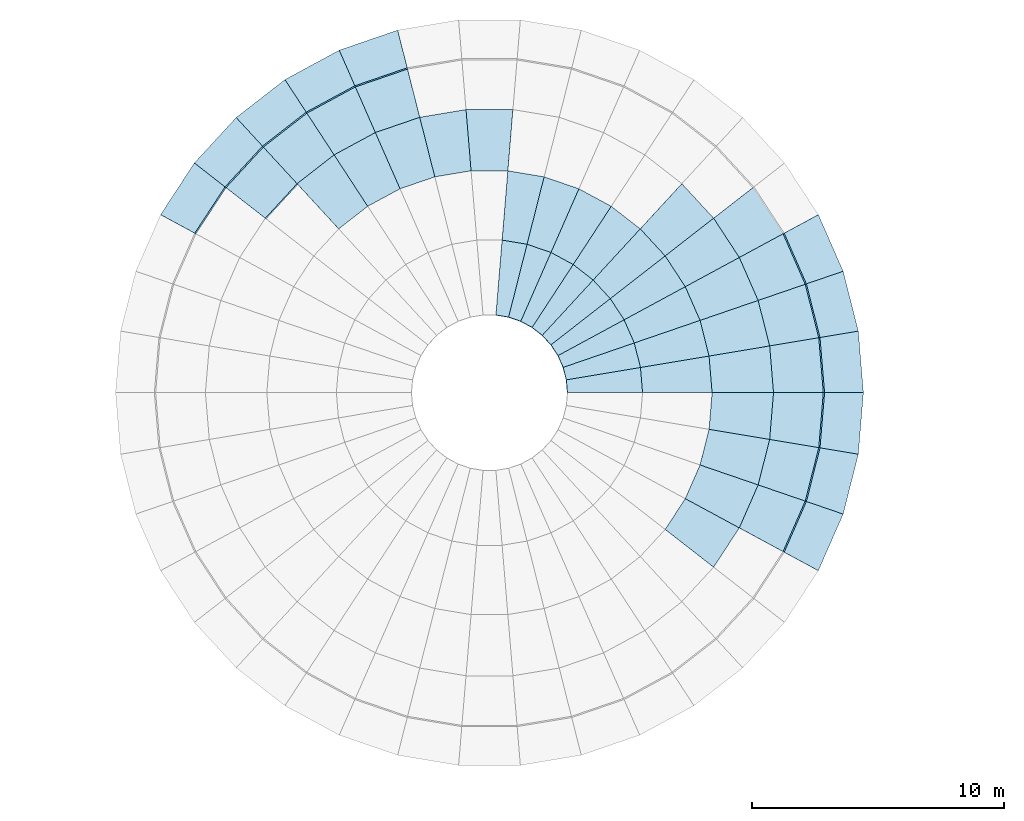
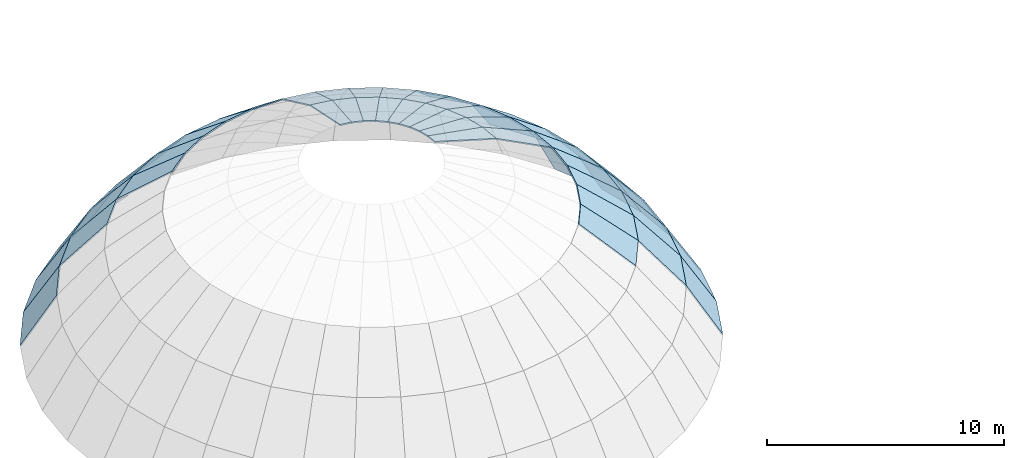
# One storey, part 24 of 36: 54 slabs, 1 element without a shape of its own.
"""IFC4 building model written with IfcOpenShell, lengths in metres."""

from ifc_helpers import new_model, si_unit, direction, frame, origin, place, context, subcontext, project, spatial, polyline, outline, extrude, material, layer, layer_set, type_object, element, aggregate, save


model = new_model("IFC4")

# Units and contexts
model_context = context("Model", 3, precision=1e-05, world=origin(), true_north=direction((0.0, 1.0)))
body_context = subcontext(model_context, "Body", "Model", "MODEL_VIEW")
ifc_project = project(units=[si_unit("LENGTHUNIT", "METRE"), si_unit("AREAUNIT", "SQUARE_METRE"), si_unit("VOLUMEUNIT", "CUBIC_METRE"), si_unit("PLANEANGLEUNIT", "RADIAN"), si_unit("MASSUNIT", "GRAM", prefix="KILO")], contexts=[model_context])

# Site, building, storey
site_placement = place(None, origin())
site = spatial("IfcSite", under=ifc_project, at=site_placement, CompositionType="ELEMENT")
building_placement = place(site_placement, origin())
building = spatial("IfcBuilding", under=site, at=building_placement, Name="Sun Court Science Centre", CompositionType="ELEMENT")
storey_placement = place(building_placement, frame((0.0, 0.0, 24.75)))
storey = spatial("IfcBuildingStorey", under=building, at=storey_placement, Name="L05", CompositionType="ELEMENT", Elevation=24.75)

# Roof, slabs
ifc_material_1 = material(Name="Zinc roofing", Category="metal")
roof_type = type_object("IfcRoofType", Name="Dome roof", PredefinedType="DOME_ROOF", material=ifc_material_1)
roof_placement = place(storey_placement, origin())
roof = element("IfcRoof", 1, at=roof_placement, inside=storey, type_object=roof_type, Name="Planetarium dome roof", PredefinedType="DOME_ROOF")
ifc_material_2 = material(Name="Zinc roofing", Category="metal")
ifc_layer = layer(ifc_material_2, 0.06005859375)
ifc_layer_set = layer_set([ifc_layer], Name="Zinc roofing")
slab_type = type_object("IfcSlabType", Name="Dome roof panel 60", PredefinedType="ROOF", material=ifc_layer_set)
slab_1_placement = place(storey_placement, frame((54.0546875, 97.309814453125, 4.572509765625), z_axis=(0.275177299735, 0.06973170191, 0.958861274356), x_axis=(-0.245883494279, 0.969299387089, 7.3691664e-05)))
slab_1 = element("IfcSlab", 2, at=slab_1_placement, type_object=slab_type, Name="Dome roof panel 1.1", PredefinedType="ROOF", context=body_context, shape_type="SweptSolid", body=[
    extrude(outline(polyline([(0.0, 0.0), (0.5113056043320097, 1.3877787807814457e-17), (0.7565376212636394, -3.1014589182609362), (-0.24783451861230074, -3.1010654606110055), (0.0, 0.0)])), origin(), (0.0, 0.0, -1.0), 0.06005859375),
])
slab_2_placement = place(storey_placement, frame((53.928955078125, 97.805419921875, 4.572509765625), z_axis=(0.25997813006, 0.113986190334, 0.958863139506), x_axis=(-0.401406770776, 0.915899886652, -4.4800082e-05)))
slab_2 = element("IfcSlab", 3, at=slab_2_placement, type_object=slab_type, Name="Dome roof panel 1.2", PredefinedType="ROOF", context=body_context, shape_type="SweptSolid", body=[
    extrude(outline(polyline([(0.0, 0.0), (0.5115222111100454, 0.0), (0.758892770357691, -3.101211521662323), (-0.24533546654122496, -3.1014507369324136), (0.0, 0.0)])), origin(), (0.0, 0.0, -1.0), 0.06005859375),
])
slab_3_placement = place(storey_placement, frame((53.7236328125, 98.27392578125, 4.572509765625), z_axis=(0.23764830106, 0.155262337515, 0.958862290192), x_axis=(-0.546964743862, 0.837155641996, 6.779158e-06)))
slab_3 = element("IfcSlab", 4, at=slab_3_placement, type_object=slab_type, Name="Dome roof panel 1.3", PredefinedType="ROOF", context=body_context, shape_type="SweptSolid", body=[
    extrude(outline(polyline([(0.0, 0.0), (0.5115216290349449, 0.0), (0.7578663566423123, -3.101318008494757), (-0.2464878193157711, -3.1012818077628306), (0.0, 0.0)])), origin(), (0.0, 0.0, -1.0), 0.06005859375),
])
slab_4_placement = place(storey_placement, frame((53.44384765625, 98.7021484375, 4.572509765625), z_axis=(0.208832287046, 0.192279344653, 0.958862727144), x_axis=(-0.67738434948, 0.735629283596, 1.3981515e-05)))
slab_4 = element("IfcSlab", 5, at=slab_4_placement, type_object=slab_type, Name="Dome roof panel 1.4", PredefinedType="ROOF", context=body_context, shape_type="SweptSolid", body=[
    extrude(outline(polyline([(0.0, 0.0), (0.5114289838705253, 5.551115123125783e-17), (0.7573617123254214, -3.101353339969294), (-0.24683921780470647, -3.101278690338045), (0.0, 0.0)])), origin(), (0.0, 0.0, -1.0), 0.06005859375),
])
slab_5_placement = place(storey_placement, frame((53.097412109375, 99.078369140625, 4.572509765625), z_axis=(0.174383508411, 0.223991821632, 0.958862897309), x_axis=(-0.789045475052, 0.614334793254, -9.856673e-06)))
slab_5 = element("IfcSlab", 6, at=slab_5_placement, type_object=slab_type, Name="Dome roof panel 1.5", PredefinedType="ROOF", context=body_context, shape_type="SweptSolid", body=[
    extrude(outline(polyline([(0.0, 0.0), (0.5114602170847771, 2.7755575615628914e-17), (0.7583206045406479, -3.101295984406815), (-0.24599229452488455, -3.101348615897013), (0.0, 0.0)])), origin(), (0.0, 0.0, -1.0), 0.06005859375),
])
slab_6_placement = place(storey_placement, frame((52.69384765625, 99.392578125, 4.572509765625), z_axis=(0.135061687279, 0.24968580712, 0.958861480274), x_axis=(-0.879551158532, 0.47580432896, -8.264372e-06)))
slab_6 = element("IfcSlab", 7, at=slab_6_placement, type_object=slab_type, Name="Dome roof panel 1.6", PredefinedType="ROOF", context=body_context, shape_type="SweptSolid", body=[
    extrude(outline(polyline([(0.0, 0.0), (0.5115697512566454, -2.7755575615628914e-17), (0.7573304110835206, -3.101247974680628), (-0.24690913074820717, -3.101292104100171), (0.0, 0.0)])), origin(), (0.0, 0.0, -1.0), 0.06005859375),
])
slab_7_placement = place(storey_placement, frame((52.243896484375, 99.635986328125, 4.572509765625), z_axis=(0.092181155952, 0.268495906624, 0.958860043288), x_axis=(-0.945827220378, 0.324670400489, 1.5406808e-05)))
slab_7 = element("IfcSlab", 8, at=slab_7_placement, type_object=slab_type, Name="Dome roof panel 1.7", PredefinedType="ROOF", context=body_context, shape_type="SweptSolid", body=[
    extrude(outline(polyline([(0.0, 0.0), (0.5113426747808478, 0.0), (0.7577190631872254, -3.1012581237436407), (-0.24666896648711423, -3.101175861395699), (0.0, 0.0)])), origin(), (0.0, 0.0, -1.0), 0.06005859375),
])
slab_8_placement = place(storey_placement, frame((51.76025390625, 99.802001953125, 4.572509765625), z_axis=(0.04672822343, 0.280003561924, 0.958861031873), x_axis=(-0.986355517295, 0.164629260643, -6.401744e-06)))
slab_8 = element("IfcSlab", 9, at=slab_8_placement, type_object=slab_type, Name="Dome roof panel 1.8", PredefinedType="ROOF", context=body_context, shape_type="SweptSolid", body=[
    extrude(outline(polyline([(0.0, 0.0), (0.5116196164969511, 0.0), (0.7579546767650083, -3.101236382879202), (-0.24621972341148463, -3.1012705658663693), (0.0, 0.0)])), origin(), (0.0, 0.0, -1.0), 0.06005859375),
])
slab_9_placement = place(storey_placement, frame((54.096923828125, 96.800048828125, 4.572509765625), z_axis=(0.282921231947, 0.023412909448, 0.958857347151), x_axis=(-0.082563473837, 0.996585807672, 2.7101486e-05)))
slab_9 = element("IfcSlab", 10, at=slab_9_placement, type_object=slab_type, Name="Dome roof panel 1.38", PredefinedType="ROOF", context=body_context, shape_type="SweptSolid", body=[
    extrude(outline(polyline([(0.0, 0.0), (0.5115123650862234, 6.938893903907228e-18), (0.7577852298727284, -3.101189871164825), (-0.246363755302743, -3.101045178093198), (0.0, 0.0)])), origin(), (0.0, 0.0, -1.0), 0.06005859375),
])
slab_10_placement = place(storey_placement, frame((56.997802734375, 97.80078125, 3.692138671875), z_axis=(0.447242180145, 0.113238594298, 0.887215561778), x_axis=(-0.245495667643, 0.969397687489, 2.5682784e-05)))
slab_10 = element("IfcSlab", 11, at=slab_10_placement, type_object=slab_type, Name="Dome roof panel 2.1", PredefinedType="ROOF", context=body_context, shape_type="SweptSolid", body=[
    extrude(outline(polyline([(0.0, 0.0), (1.0043722172913425, 2.7755575615628914e-17), (1.232252585588076, -3.1026601235799376), (-0.22817828107410937, -3.10252291256546), (0.0, 0.0)])), origin(), (0.0, 0.0, -1.0), 0.06005859375),
])
slab_11_placement = place(storey_placement, frame((56.751220703125, 98.7744140625, 3.692138671875), z_axis=(0.422502986318, 0.185296302133, 0.887218409958), x_axis=(-0.401625869462, 0.915803833208, -7.816048e-06)))
slab_11 = element("IfcSlab", 12, at=slab_11_placement, type_object=slab_type, Name="Dome roof panel 2.2", PredefinedType="ROOF", context=body_context, shape_type="SweptSolid", body=[
    extrude(outline(polyline([(0.0, 0.0), (1.0042282656358383, 0.0), (1.2326150005392338, -3.10260747426104), (-0.22802859478836174, -3.102649233386529), (0.0, 0.0)])), origin(), (0.0, 0.0, -1.0), 0.06005859375),
])
slab_12_placement = place(storey_placement, frame((56.347900390625, 99.694091796875, 3.692138671875), z_axis=(0.386227181641, 0.25233631058, 0.887217532809), x_axis=(-0.546938249766, 0.837172951597, -7.568814e-06)))
slab_12 = element("IfcSlab", 13, at=slab_12_placement, type_object=slab_type, Name="Dome roof panel 2.3", PredefinedType="ROOF", context=body_context, shape_type="SweptSolid", body=[
    extrude(outline(polyline([(0.0, 0.0), (1.0043541765804533, 1.1102230246251565e-16), (1.2325022534109964, -3.102596792592947), (-0.22798214474136738, -3.102637230116387), (0.0, 0.0)])), origin(), (0.0, 0.0, -1.0), 0.06005859375),
])
slab_13_placement = place(storey_placement, frame((55.798583984375, 100.534912109375, 3.692138671875), z_axis=(0.339408860934, 0.312491960558, 0.887214968148), x_axis=(-0.677330987808, 0.735678416805, -1.636312e-06)))
slab_13 = element("IfcSlab", 14, at=slab_13_placement, type_object=slab_type, Name="Dome roof panel 2.4", PredefinedType="ROOF", context=body_context, shape_type="SweptSolid", body=[
    extrude(outline(polyline([(0.0, 0.0), (1.0042009329307369, 0.0), (1.2322494452831905, -3.1025794740086017), (-0.2282646843446842, -3.102588215719342), (0.0, 0.0)])), origin(), (0.0, 0.0, -1.0), 0.06005859375),
])
slab_14_placement = place(storey_placement, frame((55.118408203125, 101.273681640625, 3.692138671875), z_axis=(0.283395806017, 0.364059182507, 0.887213462907), x_axis=(-0.789082408073, 0.614287353777, -1.6125535e-05)))
slab_14 = element("IfcSlab", 15, at=slab_14_placement, type_object=slab_type, Name="Dome roof panel 2.5", PredefinedType="ROOF", context=body_context, shape_type="SweptSolid", body=[
    extrude(outline(polyline([(0.0, 0.0), (1.0043129002924966, -5.551115123125783e-17), (1.2326254321472232, -3.1025212971472564), (-0.22766770844830048, -3.102607440641787), (0.0, 0.0)])), origin(), (0.0, 0.0, -1.0), 0.06005859375),
])
slab_15_placement = place(storey_placement, frame((54.325927734375, 101.890625, 3.692138671875), z_axis=(0.219525661106, 0.405784319447, 0.887213373551), x_axis=(-0.879565185416, 0.475778397881, 2.6730236e-05)))
slab_15 = element("IfcSlab", 16, at=slab_15_placement, type_object=slab_type, Name="Dome roof panel 2.6", PredefinedType="ROOF", context=body_context, shape_type="SweptSolid", body=[
    extrude(outline(polyline([(0.0, 0.0), (1.0042395423552177, 0.0), (1.231934625005833, -3.1026346037289927), (-0.22871310556653196, -3.102491793093754), (0.0, 0.0)])), origin(), (0.0, 0.0, -1.0), 0.06005859375),
])
slab_16_placement = place(storey_placement, frame((53.442626953125, 102.368408203125, 3.692138671875), z_axis=(0.149844607598, 0.436327024503, 0.88722337732), x_axis=(-0.945796870013, 0.324758802936, 2.4253969e-05)))
slab_16 = element("IfcSlab", 17, at=slab_16_placement, type_object=slab_type, Name="Dome roof panel 2.7", PredefinedType="ROOF", context=body_context, shape_type="SweptSolid", body=[
    extrude(outline(polyline([(0.0, 0.0), (1.0043880327014159, 5.551115123125783e-17), (1.2325102604090363, -3.1027574024503415), (-0.22778740750380091, -3.1026278268693597), (0.0, 0.0)])), origin(), (0.0, 0.0, -1.0), 0.06005859375),
])
slab_17_placement = place(storey_placement, frame((52.49267578125, 102.694580078125, 3.692138671875), z_axis=(0.075903591624, 0.455055969531, 0.887221905372), x_axis=(-0.98636348613, 0.164581506913, -2.8477601e-05)))
slab_17 = element("IfcSlab", 18, at=slab_17_placement, type_object=slab_type, Name="Dome roof panel 2.8", PredefinedType="ROOF", context=body_context, shape_type="SweptSolid", body=[
    extrude(outline(polyline([(0.0, 0.0), (1.0041744002468371, 0.0), (1.2323384526330858, -3.1025975003395345), (-0.228227742302889, -3.1027496429123986), (0.0, 0.0)])), origin(), (0.0, 0.0, -1.0), 0.06005859375),
])
slab_18_placement = place(storey_placement, frame((57.08056640625, 96.800048828125, 3.692138671875), z_axis=(0.459779125023, 0.03807117407, 0.887216851676), x_axis=(-0.082442789822, 0.99659579808, -4.0687163e-05)))
slab_18 = element("IfcSlab", 19, at=slab_18_placement, type_object=slab_type, Name="Dome roof panel 2.38", PredefinedType="ROOF", context=body_context, shape_type="SweptSolid", body=[
    extrude(outline(polyline([(0.0, 0.0), (1.004148994648439, 0.0), (1.2326452918250752, -3.1024995071472468), (-0.2276658142607574, -3.1027168504174645), (0.0, 0.0)])), origin(), (0.0, 0.0, -1.0), 0.06005859375),
])
slab_19_placement = place(storey_placement, frame((59.72216796875, 98.25537109375, 2.2607421875), z_axis=(0.602786467623, 0.152637700773, 0.783166780931), x_axis=(-0.245431703613, 0.969413883614, -3.3449616e-05)))
slab_19 = element("IfcSlab", 20, at=slab_19_placement, type_object=slab_type, Name="Dome roof panel 3.1", PredefinedType="ROOF", context=body_context, shape_type="SweptSolid", body=[
    extrude(outline(polyline([(0.0, 0.0), (1.4604308720651793, -5.551115123125783e-17), (1.6621978416923027, -3.1044194204222473), (-0.20123778756247374, -3.1045982238413483), (0.0, 0.0)])), origin(), (0.0, 0.0, -1.0), 0.06005859375),
])
slab_20_placement = place(storey_placement, frame((59.36376953125, 99.671142578125, 2.2607421875), z_axis=(0.569460365747, 0.249769728147, 0.78315386403), x_axis=(-0.401658804398, 0.915789388863, -9.828259e-06)))
slab_20 = element("IfcSlab", 21, at=slab_20_placement, type_object=slab_type, Name="Dome roof panel 3.2", PredefinedType="ROOF", context=body_context, shape_type="SweptSolid", body=[
    extrude(outline(polyline([(0.0, 0.0), (1.4606435958363044, -5.551115123125783e-17), (1.6622535744559714, -3.1044013388606104), (-0.2012361038722683, -3.104453878217615), (0.0, 0.0)])), origin(), (0.0, 0.0, -1.0), 0.06005859375),
])
slab_21_placement = place(storey_placement, frame((58.777099609375, 101.0087890625, 2.2607421875), z_axis=(0.520565654086, 0.34014674265, 0.783142128384), x_axis=(-0.546975357949, 0.837148706823, -2.1478552e-05)))
slab_21 = element("IfcSlab", 22, at=slab_21_placement, type_object=slab_type, Name="Dome roof panel 3.3", PredefinedType="ROOF", context=body_context, shape_type="SweptSolid", body=[
    extrude(outline(polyline([(0.0, 0.0), (1.4604843981880262, 0.0), (1.6618639751540965, -3.104296425491039), (-0.20145760866634133, -3.1044112303044806), (0.0, 0.0)])), origin(), (0.0, 0.0, -1.0), 0.06005859375),
])
slab_22_placement = place(storey_placement, frame((57.978271484375, 102.2314453125, 2.2607421875), z_axis=(0.457505297664, 0.421149680519, 0.783148676311), x_axis=(-0.677309956829, 0.73569777796, 4.3426318e-05)))
slab_22 = element("IfcSlab", 23, at=slab_22_placement, type_object=slab_type, Name="Dome roof panel 3.4", PredefinedType="ROOF", context=body_context, shape_type="SweptSolid", body=[
    extrude(outline(polyline([(0.0, 0.0), (1.460514127409812, -2.220446049250313e-16), (1.661801457451419, -3.104511054014031), (-0.20164919876667145, -3.1042789222326332), (0.0, 0.0)])), origin(), (0.0, 0.0, -1.0), 0.06005859375),
])
slab_23_placement = place(storey_placement, frame((51.730224609375, 105.612548828125, 2.2607421875), z_axis=(0.0, 0.621804126593, 0.783172795845), x_axis=(-1.0, 0.0, 0.0)))
slab_23 = element("IfcSlab", 24, at=slab_23_placement, type_object=slab_type, Name="Dome roof panel 3.9", PredefinedType="ROOF", context=body_context, shape_type="SweptSolid", body=[
    extrude(outline(polyline([(0.0, 0.0), (1.46044921875, 0.0), (1.661865234375, -3.104546655955261), (-0.201416015625, -3.104546655955261), (0.0, 0.0)])), origin(), (0.0, 0.0, -1.0), 0.06005859375),
])
slab_24_placement = place(storey_placement, frame((50.269775390625, 105.612548828125, 2.2607421875), z_axis=(-0.102299300629, 0.613339110469, 0.783166641693), x_axis=(-0.986377931145, -0.164494913603, -1.8653152e-05)))
slab_24 = element("IfcSlab", 25, at=slab_24_placement, type_object=slab_type, Name="Dome roof panel 3.10", PredefinedType="ROOF", context=body_context, shape_type="SweptSolid", body=[
    extrude(outline(polyline([(0.0, 0.0), (1.4605662028014457, 5.551115123125783e-17), (1.6622923569759513, -3.10445809215668), (-0.20124403342432934, -3.104557808795674), (0.0, 0.0)])), origin(), (0.0, 0.0, -1.0), 0.06005859375),
])
slab_25_placement = place(storey_placement, frame((48.8291015625, 105.372314453125, 2.2607421875), z_axis=(-0.201986843399, 0.588100544722, 0.78315966724), x_axis=(-0.945769826427, -0.324837552313, 5.209205e-06)))
slab_25 = element("IfcSlab", 26, at=slab_25_placement, type_object=slab_type, Name="Dome roof panel 3.11", PredefinedType="ROOF", context=body_context, shape_type="SweptSolid", body=[
    extrude(outline(polyline([(0.0, 0.0), (1.4602976738874296, -5.551115123125783e-17), (1.6613939758593534, -3.1044780185973133), (-0.2018479429237424, -3.1044501761645957), (0.0, 0.0)])), origin(), (0.0, 0.0, -1.0), 0.06005859375),
])
slab_26_placement = place(storey_placement, frame((47.447998046875, 104.89794921875, 2.2607421875), z_axis=(-0.29589830461, 0.546902638941, 0.783161347902), x_axis=(-0.879520102149, -0.475861734027, 1.954916e-06)))
slab_26 = element("IfcSlab", 27, at=slab_26_placement, type_object=slab_type, Name="Dome roof panel 3.12", PredefinedType="ROOF", context=body_context, shape_type="SweptSolid", body=[
    extrude(outline(polyline([(0.0, 0.0), (1.4606477378626277, 0.0), (1.6621864668314683, -3.1044798940589584), (-0.20122863661466994, -3.104469443642172), (0.0, 0.0)])), origin(), (0.0, 0.0, -1.0), 0.06005859375),
])
slab_27_placement = place(storey_placement, frame((46.163330078125, 104.202880859375, 2.2607421875), z_axis=(-0.381938375577, 0.490691696821, 0.783163288167), x_axis=(-0.789121430342, -0.614237224635, 6.829699e-06)))
slab_27 = element("IfcSlab", 28, at=slab_27_placement, type_object=slab_type, Name="Dome roof panel 3.13", PredefinedType="ROOF", context=body_context, shape_type="SweptSolid", body=[
    extrude(outline(polyline([(0.0, 0.0), (1.4602931431949102, -1.1102230246251565e-16), (1.6616719914875673, -3.1045051199164755), (-0.20171240403067725, -3.1044686144011804), (0.0, 0.0)])), origin(), (0.0, 0.0, -1.0), 0.06005859375),
])
slab_28_placement = place(storey_placement, frame((57.978271484375, 91.36865234375, 2.2607421875), z_axis=(0.520570550385, -0.340120099027, 0.783150445515), x_axis=(0.546962352462, 0.837157204464, 1.913327e-06)))
slab_28 = element("IfcSlab", 29, at=slab_28_placement, type_object=slab_type, Name="Dome roof panel 3.34", PredefinedType="ROOF", context=body_context, shape_type="SweptSolid", body=[
    extrude(outline(polyline([(0.0, 0.0), (1.4604843987329499, 0.0), (1.6619420062342776, -3.104411230636445), (-0.20158396008707558, -3.1044010029275224), (0.0, 0.0)])), origin(), (0.0, 0.0, -1.0), 0.06005859375),
])
slab_29_placement = place(storey_placement, frame((58.777099609375, 92.59130859375, 2.2607421875), z_axis=(0.569460040478, -0.249789618333, 0.783147756731), x_axis=(0.401706964729, 0.915768264582, -8.502997e-06)))
slab_29 = element("IfcSlab", 30, at=slab_29_placement, type_object=slab_type, Name="Dome roof panel 3.35", PredefinedType="ROOF", context=body_context, shape_type="SweptSolid", body=[
    extrude(outline(polyline([(0.0, 0.0), (1.460420016998324, 0.0), (1.6620429434007444, -3.1043664849008463), (-0.20144673513655148, -3.104411936129929), (0.0, 0.0)])), origin(), (0.0, 0.0, -1.0), 0.06005859375),
])
slab_30_placement = place(storey_placement, frame((59.36376953125, 93.9287109375, 2.2607421875), z_axis=(0.602788271935, -0.152649723786, 0.783163048825), x_axis=(0.245438462626, 0.96941217203, 4.2230724e-05)))
slab_30 = element("IfcSlab", 31, at=slab_30_placement, type_object=slab_type, Name="Dome roof panel 3.36", PredefinedType="ROOF", context=body_context, shape_type="SweptSolid", body=[
    extrude(outline(polyline([(0.0, 0.0), (1.46043087127398, -5.551115123125783e-17), (1.6616686605278743, -3.1045982233595244), (-0.20153029641565617, -3.104372498702918), (0.0, 0.0)])), origin(), (0.0, 0.0, -1.0), 0.06005859375),
])
slab_31_placement = place(storey_placement, frame((59.72216796875, 95.344482421875, 2.2607421875), z_axis=(0.619680838309, -0.051331805016, 0.78317348297), x_axis=(0.08256662234, 0.996585547136, -1.0749548e-05)))
slab_31 = element("IfcSlab", 32, at=slab_31_placement, type_object=slab_type, Name="Dome roof panel 3.37", PredefinedType="ROOF", context=body_context, shape_type="SweptSolid", body=[
    extrude(outline(polyline([(0.0, 0.0), (1.4605544295554562, 1.3877787807814457e-17), (1.6620127434508423, -3.1045222450532597), (-0.20152320116235478, -3.1045797109277227), (0.0, 0.0)])), origin(), (0.0, 0.0, -1.0), 0.06005859375),
])
slab_32_placement = place(storey_placement, frame((59.8427734375, 96.800048828125, 2.2607421875), z_axis=(0.619680215568, 0.051339320579, 0.783173483077), x_axis=(-0.082579734216, 0.996584460727, 1.1566259e-05)))
slab_32 = element("IfcSlab", 33, at=slab_32_placement, type_object=slab_type, Name="Dome roof panel 3.38", PredefinedType="ROOF", context=body_context, shape_type="SweptSolid", body=[
    extrude(outline(polyline([(0.0, 0.0), (1.4603111228266308, 1.3877787807814457e-17), (1.6618007574251212, -3.104581889594301), (-0.20149187950056052, -3.1045200667253225), (0.0, 0.0)])), origin(), (0.0, 0.0, -1.0), 0.06005859375),
])
slab_33_placement = place(storey_placement, frame((62.128662109375, 98.656982421875, 0.330322265625), z_axis=(0.736150998471, 0.186468458408, 0.650623717266), x_axis=(-0.245537571862, 0.969387074741, -1.1350247e-05)))
slab_33 = element("IfcSlab", 34, at=slab_33_placement, type_object=slab_type, Name="Dome roof panel 4.1", PredefinedType="ROOF", context=body_context, shape_type="SweptSolid", body=[
    extrude(outline(polyline([(0.0, 0.0), (1.8634356385936197, 5.551115123125783e-17), (2.0307593485270425, -3.1065406293917563), (-0.16740812210967682, -3.106601335448932), (0.0, 0.0)])), origin(), (0.0, 0.0, -1.0), 0.06005859375),
])
slab_34_placement = place(storey_placement, frame((61.671142578125, 100.46337890625, 0.330322265625), z_axis=(0.695451516916, 0.30502739959, 0.650619299682), x_axis=(-0.401674346744, 0.915782571943, 9.61736e-06)))
slab_34 = element("IfcSlab", 35, at=slab_34_placement, type_object=slab_type, Name="Dome roof panel 4.2", PredefinedType="ROOF", context=body_context, shape_type="SweptSolid", body=[
    extrude(outline(polyline([(0.0, 0.0), (1.8634896789554545, 0.0), (2.0310381603044374, -3.1065812206639087), (-0.1675250679646918, -3.1065297773993796), (0.0, 0.0)])), origin(), (0.0, 0.0, -1.0), 0.06005859375),
])
slab_35_placement = place(storey_placement, frame((60.922607421875, 102.169921875, 0.330322265625), z_axis=(0.635710284981, 0.415377582633, 0.650641143347), x_axis=(-0.547006696174, 0.837128230268, 2.0721206e-05)))
slab_35 = element("IfcSlab", 36, at=slab_35_placement, type_object=slab_type, Name="Dome roof panel 4.3", PredefinedType="ROOF", context=body_context, shape_type="SweptSolid", body=[
    extrude(outline(polyline([(0.0, 0.0), (1.8633215868427615, 0.0), (2.030677355866214, -3.1066874717633137), (-0.16763333222369034, -3.1065766427611123), (0.0, 0.0)])), origin(), (0.0, 0.0, -1.0), 0.06005859375),
])
slab_36_placement = place(storey_placement, frame((48.230224609375, 107.7373046875, 0.330322265625), z_axis=(-0.24662069552, 0.718226289839, 0.650637555883), x_axis=(-0.945786793266, -0.324788147355, 3.1952183e-05)))
slab_36 = element("IfcSlab", 37, at=slab_36_placement, type_object=slab_type, Name="Dome roof panel 4.11", PredefinedType="ROOF", context=body_context, shape_type="SweptSolid", body=[
    extrude(outline(polyline([(0.0, 0.0), (1.8632419167696506, 0.0), (2.030658747066433, -3.106704930559938), (-0.16781455886966534, -3.106534028995517), (0.0, 0.0)])), origin(), (0.0, 0.0, -1.0), 0.06005859375),
])
slab_37_placement = place(storey_placement, frame((46.468017578125, 107.132080078125, 0.330322265625), z_axis=(-0.361413677165, 0.667871296322, 0.650636677039), x_axis=(-0.879500921564, -0.475897181563, -3.9337724e-05)))
slab_37 = element("IfcSlab", 38, at=slab_37_placement, type_object=slab_type, Name="Dome roof panel 4.12", PredefinedType="ROOF", context=body_context, shape_type="SweptSolid", body=[
    extrude(outline(polyline([(0.0, 0.0), (1.863415100073195, 1.1102230246251565e-16), (2.031247938798702, -3.1065111868493256), (-0.16710731463120182, -3.1067215938523565), (0.0, 0.0)])), origin(), (0.0, 0.0, -1.0), 0.06005859375),
])
slab_38_placement = place(storey_placement, frame((44.8291015625, 106.245361328125, 0.330322265625), z_axis=(-0.466409218161, 0.599284265535, 0.650631086174), x_axis=(-0.789149470539, -0.614201198834, 2.2327196e-05)))
slab_38 = element("IfcSlab", 39, at=slab_38_placement, type_object=slab_type, Name="Dome roof panel 4.13", PredefinedType="ROOF", context=body_context, shape_type="SweptSolid", body=[
    extrude(outline(polyline([(0.0, 0.0), (1.8633843948221864, 0.0), (2.0309455754273866, -3.1066565226943528), (-0.1673524634407547, -3.1065371038117346), (0.0, 0.0)])), origin(), (0.0, 0.0, -1.0), 0.06005859375),
])
slab_39_placement = place(storey_placement, frame((43.358642578125, 105.100830078125, 0.330322265625), z_axis=(-0.558727612434, 0.514270403504, 0.650653062071), x_axis=(-0.677224120625, -0.73577679387, 6.781914e-06)))
slab_39 = element("IfcSlab", 40, at=slab_39_placement, type_object=slab_type, Name="Dome roof panel 4.14", PredefinedType="ROOF", context=body_context, shape_type="SweptSolid", body=[
    extrude(outline(polyline([(0.0, 0.0), (1.8634506723351727, 1.1102230246251565e-16), (2.0307228456918587, -3.106691974399987), (-0.16757645776526534, -3.1066556992624124), (0.0, 0.0)])), origin(), (0.0, 0.0, -1.0), 0.06005859375),
])
slab_40_placement = place(storey_placement, frame((60.922607421875, 91.43017578125, 0.330322265625), z_axis=(0.695437010646, -0.305041056849, 0.650628402286), x_axis=(0.401687097034, 0.915776979439, 2.311103e-06)))
slab_40 = element("IfcSlab", 41, at=slab_40_placement, type_object=slab_type, Name="Dome roof panel 4.35", PredefinedType="ROOF", context=body_context, shape_type="SweptSolid", body=[
    extrude(outline(polyline([(0.0, 0.0), (1.8634896791472875, 1.1102230246251565e-16), (2.0307911680824113, -3.1065935823405066), (-0.16754848094806885, -3.106581220800602), (0.0, 0.0)])), origin(), (0.0, 0.0, -1.0), 0.06005859375),
])
slab_41_placement = place(storey_placement, frame((61.671142578125, 93.13671875, 0.330322265625), z_axis=(0.736150998471, -0.186468458408, 0.650623717266), x_axis=(0.24555077365, 0.9693837308, -4.545345e-06)))
slab_41 = element("IfcSlab", 42, at=slab_41_placement, type_object=slab_type, Name="Dome roof panel 4.36", PredefinedType="ROOF", context=body_context, shape_type="SweptSolid", body=[
    extrude(outline(polyline([(0.0, 0.0), (1.8631989722354956, 0.0), (2.030908786922144, -3.1065588256144494), (-0.16749535045361202, -3.1065831360982337), (0.0, 0.0)])), origin(), (0.0, 0.0, -1.0), 0.06005859375),
])
slab_42_placement = place(storey_placement, frame((62.128662109375, 94.94287109375, 0.330322265625), z_axis=(0.756814240783, -0.062668473107, 0.650618834208), x_axis=(0.082528560976, 0.996588699807, -6.298749e-06)))
slab_42 = element("IfcSlab", 43, at=slab_42_placement, type_object=slab_type, Name="Dome roof panel 4.37", PredefinedType="ROOF", context=body_context, shape_type="SweptSolid", body=[
    extrude(outline(polyline([(0.0, 0.0), (1.8635359455197331, -1.3877787807814457e-17), (2.0309250131089094, -3.1065370222015263), (-0.16748946757362507, -3.106570713349546), (0.0, 0.0)])), origin(), (0.0, 0.0, -1.0), 0.06005859375),
])
slab_43_placement = place(storey_placement, frame((62.282470703125, 96.800048828125, 0.330322265625), z_axis=(0.756812333071, 0.062672094892, 0.65062070443), x_axis=(-0.082535974002, 0.996588085877, 9.191162e-06)))
slab_43 = element("IfcSlab", 44, at=slab_43_placement, type_object=slab_type, Name="Dome roof panel 4.38", PredefinedType="ROOF", context=body_context, shape_type="SweptSolid", body=[
    extrude(outline(polyline([(0.0, 0.0), (1.8632926378901893, -2.7755575615628914e-17), (2.0310035549576133, -3.10658500373347), (-0.16741092534989313, -3.106535844306839), (0.0, 0.0)])), origin(), (0.0, 0.0, -1.0), 0.06005859375),
])
slab_44_placement = place(storey_placement, frame((64.129150390625, 98.990966796875, -2.02880859375), z_axis=(0.830161558485, 0.210282422059, 0.516345901298), x_axis=(-0.24555276295, 0.969383226872, 8.156414e-06)))
slab_44 = element("IfcSlab", 45, at=slab_44_placement, type_object=slab_type, Name="Dome roof panel 5.1", PredefinedType="ROOF", context=body_context, shape_type="SweptSolid", body=[
    extrude(outline(polyline([(0.0, 0.0), (2.1981674714410935, 0.0), (2.325467355144257, -2.9777288562279494), (-0.12755298077677638, -2.9776845569613783), (0.0, 0.0)])), origin(), (0.0, 0.0, -1.0), 0.06005859375),
])
slab_45_placement = place(storey_placement, frame((63.58935546875, 101.121826171875, -2.02880859375), z_axis=(0.784260587494, 0.343970787787, 0.516352038878), x_axis=(-0.401656616034, 0.915790348707, -3.242033e-06)))
slab_45 = element("IfcSlab", 46, at=slab_45_placement, type_object=slab_type, Name="Dome roof panel 5.2", PredefinedType="ROOF", context=body_context, shape_type="SweptSolid", body=[
    extrude(outline(polyline([(0.0, 0.0), (2.1985632290002033, -5.551115123125783e-17), (2.325860096598558, -2.9777107699816554), (-0.12731101939720324, -2.9777283803192383), (0.0, 0.0)])), origin(), (0.0, 0.0, -1.0), 0.06005859375),
])
slab_46_placement = place(storey_placement, frame((47.732421875, 109.703369140625, -2.02880859375), z_axis=(-0.278048109186, 0.810007270552, 0.516311408582), x_axis=(-0.945823534697, -0.324681137218, 1.8663759e-05)))
slab_46 = element("IfcSlab", 47, at=slab_46_placement, type_object=slab_type, Name="Dome roof panel 5.11", PredefinedType="ROOF", context=body_context, shape_type="SweptSolid", body=[
    extrude(outline(polyline([(0.0, 0.0), (2.1984733130465615, 5.551115123125783e-17), (2.3257622405401692, -2.977685086254274), (-0.12741567532023446, -2.977583711655614), (0.0, 0.0)])), origin(), (0.0, 0.0, -1.0), 0.06005859375),
])
slab_47_placement = place(storey_placement, frame((45.653076171875, 108.989501953125, -2.02880859375), z_axis=(-0.407636031318, 0.753153527485, 0.516326088831), x_axis=(-0.87945032971, -0.475990669618, -3.079976e-06)))
slab_47 = element("IfcSlab", 48, at=slab_47_placement, type_object=slab_type, Name="Dome roof panel 5.12", PredefinedType="ROOF", context=body_context, shape_type="SweptSolid", body=[
    extrude(outline(polyline([(0.0, 0.0), (2.198355266346841, 0.0), (2.3256555269791575, -2.977656808910603), (-0.12755881296972887, -2.9776735380731427), (0.0, 0.0)])), origin(), (0.0, 0.0, -1.0), 0.06005859375),
])
slab_48_placement = place(storey_placement, frame((43.7197265625, 107.943115234375, -2.02880859375), z_axis=(-0.525979210992, 0.675847999083, 0.516309356626), x_axis=(-0.789174882824, -0.614168547083, -9.681322e-06)))
slab_48 = element("IfcSlab", 49, at=slab_48_placement, type_object=slab_type, Name="Dome roof panel 5.13", PredefinedType="ROOF", context=body_context, shape_type="SweptSolid", body=[
    extrude(outline(polyline([(0.0, 0.0), (2.1982980426553054, -2.220446049250313e-16), (2.325668860434117, -2.9776038077057754), (-0.1273100824273238, -2.977656388738286), (0.0, 0.0)])), origin(), (0.0, 0.0, -1.0), 0.06005859375),
])
slab_49_placement = place(storey_placement, frame((41.98486328125, 106.593017578125, -2.02880859375), z_axis=(-0.630083225541, 0.580010981765, 0.516316172442), x_axis=(-0.677259716946, -0.735744028487, 1.8650023e-05)))
slab_49 = element("IfcSlab", 50, at=slab_49_placement, type_object=slab_type, Name="Dome roof panel 5.14", PredefinedType="ROOF", context=body_context, shape_type="SweptSolid", body=[
    extrude(outline(polyline([(0.0, 0.0), (2.1982993024081123, 0.0), (2.3257106389204303, -2.9776950340067194), (-0.1276060691214341, -2.977593734444448), (0.0, 0.0)])), origin(), (0.0, 0.0, -1.0), 0.06005859375),
])
slab_50_placement = place(storey_placement, frame((40.49609375, 104.9755859375, -2.02880859375), z_axis=(-0.716927435454, 0.468407573973, 0.516342325341), x_axis=(-0.546961173457, -0.837157974775, -6.49537e-07)))
slab_50 = element("IfcSlab", 51, at=slab_50_placement, type_object=slab_type, Name="Dome roof panel 5.15", PredefinedType="ROOF", context=body_context, shape_type="SweptSolid", body=[
    extrude(outline(polyline([(0.0, 0.0), (2.198310691682863, 1.1102230246251565e-16), (2.3259188353204134, -2.9776974466902084), (-0.12727244718219663, -2.9777009746960776), (0.0, 0.0)])), origin(), (0.0, 0.0, -1.0), 0.06005859375),
])
slab_51_placement = place(storey_placement, frame((62.706298828125, 90.46484375, -2.02880859375), z_axis=(0.78424666779, -0.343984396412, 0.51636411483), x_axis=(0.401681666298, 0.915779361478, -7.160454e-06)))
slab_51 = element("IfcSlab", 52, at=slab_51_placement, type_object=slab_type, Name="Dome roof panel 5.35", PredefinedType="ROOF", context=body_context, shape_type="SweptSolid", body=[
    extrude(outline(polyline([(0.0, 0.0), (2.198339648863835, -1.1102230246251565e-16), (2.325719253515817, -2.9777254470818058), (-0.12745186208427117, -2.977764340275422), (0.0, 0.0)])), origin(), (0.0, 0.0, -1.0), 0.06005859375),
])
slab_52_placement = place(storey_placement, frame((63.58935546875, 92.47802734375, -2.02880859375), z_axis=(0.830166977944, -0.210261024517, 0.516345901795), x_axis=(0.245527390395, 0.969389653602, -7.494906e-06)))
slab_52 = element("IfcSlab", 53, at=slab_52_placement, type_object=slab_type, Name="Dome roof panel 5.36", PredefinedType="ROOF", context=body_context, shape_type="SweptSolid", body=[
    extrude(outline(polyline([(0.0, 0.0), (2.1984041373171115, 0.0), (2.3259151892900087, -2.977686352771813), (-0.12734181457638152, -2.977727063391012), (0.0, 0.0)])), origin(), (0.0, 0.0, -1.0), 0.06005859375),
])
slab_53_placement = place(storey_placement, frame((64.129150390625, 94.609130859375, -2.02880859375), z_axis=(0.853467647357, -0.070657843988, 0.51633365569), x_axis=(0.082508340644, 0.996590374085, -2.46392e-06)))
slab_53 = element("IfcSlab", 54, at=slab_53_placement, type_object=slab_type, Name="Dome roof panel 5.37", PredefinedType="ROOF", context=body_context, shape_type="SweptSolid", body=[
    extrude(outline(polyline([(0.0, 0.0), (2.1984144809896926, 0.0), (2.325708411697197, -2.9776743443983107), (-0.1274789468177347, -2.97768772756399), (0.0, 0.0)])), origin(), (0.0, 0.0, -1.0), 0.06005859375),
])
slab_54_placement = place(storey_placement, frame((64.310546875, 96.800048828125, -2.02880859375), z_axis=(0.853467647357, 0.070657843988, 0.51633365569), x_axis=(-0.082508340644, 0.996590374085, 2.46392e-06)))
slab_54 = element("IfcSlab", 55, at=slab_54_placement, type_object=slab_type, Name="Dome roof panel 5.38", PredefinedType="ROOF", context=body_context, shape_type="SweptSolid", body=[
    extrude(outline(polyline([(0.0, 0.0), (2.1984144809896926, 0.0), (2.3258934278074275, -2.97768772756399), (-0.12729393070750414, -2.9776743443983107), (0.0, 0.0)])), origin(), (0.0, 0.0, -1.0), 0.06005859375),
])
aggregate(roof, [slab_1, slab_2, slab_3, slab_4, slab_5, slab_6, slab_7, slab_8, slab_9, slab_10, slab_11, slab_12, slab_13, slab_14, slab_15, slab_16, slab_17, slab_18, slab_19, slab_20, slab_21, slab_22, slab_23, slab_24, slab_25, slab_26, slab_27, slab_28, slab_29, slab_30, slab_31, slab_32, slab_33, slab_34, slab_35, slab_36, slab_37, slab_38, slab_39, slab_40, slab_41, slab_42, slab_43, slab_44, slab_45, slab_46, slab_47, slab_48, slab_49, slab_50, slab_51, slab_52, slab_53, slab_54])

save(model, "model.ifc")
